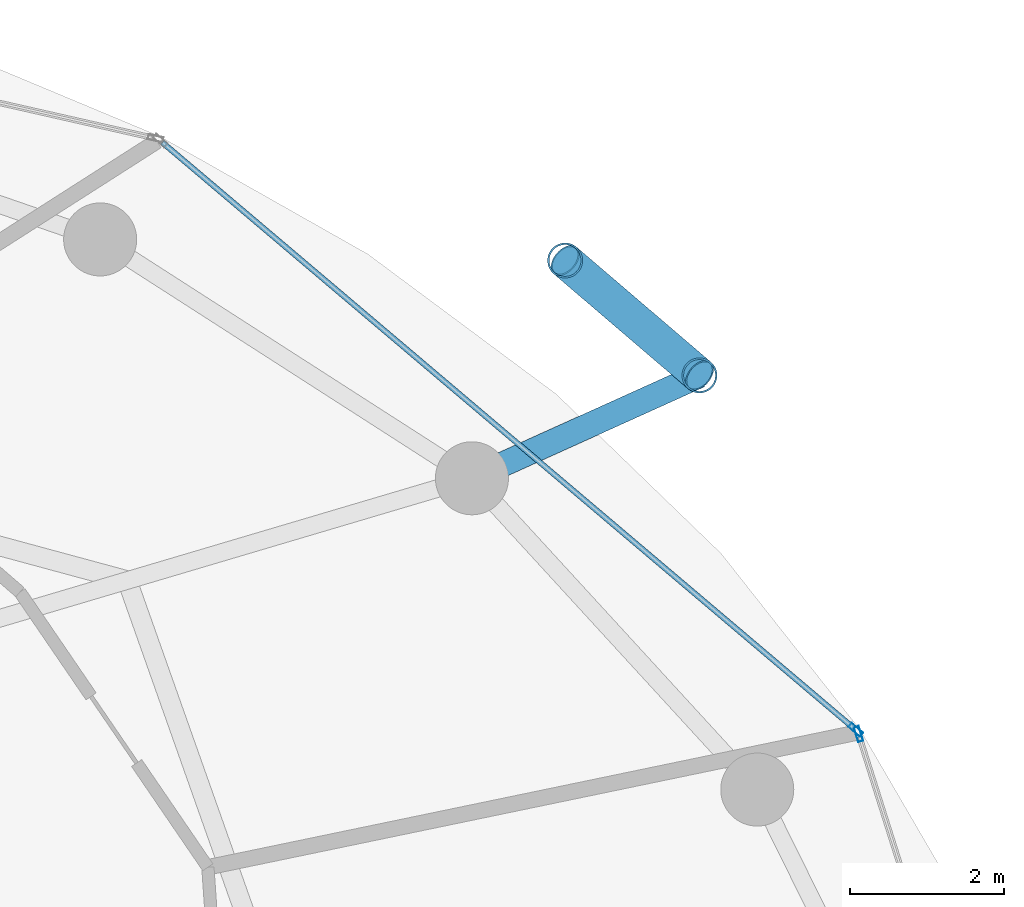
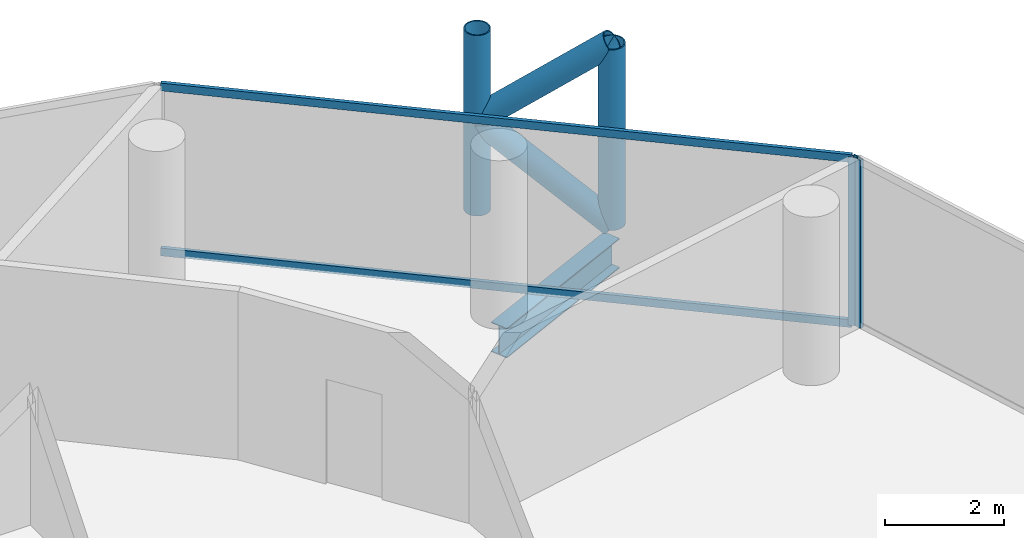
# One storey, part 19 of 26: 8 members, 1 beam, 2 elements without a shape of their own.
"""IFC4 building model written with IfcOpenShell, lengths in metres."""

from ifc_helpers import new_model, si_unit, direction, frame, origin, origin_2d, place, context, subcontext, project, spatial, hollow_rectangle, hollow_circle, i_section, extrude, material, layer, layer_set, material_profile, profile_set, type_object, element, aggregate, save


model = new_model("IFC4")

# Units and contexts
model_context = context("Model", 3, precision=1e-05, world=origin(), true_north=direction((0.0, 1.0)))
body_context = subcontext(model_context, "Body", "Model", "MODEL_VIEW")
ifc_project = project(units=[si_unit("LENGTHUNIT", "METRE"), si_unit("AREAUNIT", "SQUARE_METRE"), si_unit("VOLUMEUNIT", "CUBIC_METRE"), si_unit("PLANEANGLEUNIT", "RADIAN"), si_unit("MASSUNIT", "GRAM", prefix="KILO")], contexts=[model_context])

# Site, building, storey
site_placement = place(None, origin())
site = spatial("IfcSite", under=ifc_project, at=site_placement, CompositionType="ELEMENT")
building_placement = place(site_placement, origin())
building = spatial("IfcBuilding", under=site, at=building_placement, Name="Nuhasar Tower", CompositionType="ELEMENT")
storey_placement = place(building_placement, frame((0.0, 0.0, 144.14990234375)))
storey = spatial("IfcBuildingStorey", under=building, at=storey_placement, Name="L34", CompositionType="ELEMENT", Elevation=144.14990234375)

# Beam
ifc_material_1 = material(Name="Steel S355", Category="steel")
ifc_material_profile_1 = material_profile(ifc_material_1, i_section(OverallWidth=0.323974609375, OverallDepth=0.611083984375, WebThickness=0.0126953125, FlangeThickness=0.01904296875, at=origin_2d()), Name="W24X104")
ifc_profile_set_1 = profile_set([ifc_material_profile_1], Name="Steel S355")
beam_type = type_object("IfcBeamType", Name="BM-TIE-W24X104", PredefinedType="BEAM", material=ifc_profile_set_1)
beam_placement = place(storey_placement, frame((55.510986328125, 40.6240234375, -0.554931640625), z_axis=(0.911239591969, 0.411876687891, 0.0), x_axis=(-0.411876687891, 0.911239591969, 0.0)))
element("IfcBeam", 1, at=beam_placement, inside=storey, type_object=beam_type, Name="L34 Exoskeleton Node Tie Beam 02", PredefinedType="BEAM", context=body_context, shape_type="SweptSolid", body=[
    extrude(i_section(OverallWidth=0.323974609375, OverallDepth=0.611083984375, WebThickness=0.0126953125, FlangeThickness=0.01904296875, at=origin_2d()), origin(), (0.0, 0.0, 1.0), 3.248291015625),
])

# Curtain wall, member
ifc_material_2 = material(Name="Aluminium 6063-T6", Category="aluminium")
ifc_layer = layer(ifc_material_2, 0.199951171875)
ifc_layer_set = layer_set([ifc_layer], Name="Aluminium 6063-T6")
curtain_wall_type = type_object("IfcCurtainWallType", Name="CW-Z2-HTL", PredefinedType="NOTDEFINED", material=ifc_layer_set)
curtain_wall_1_placement = place(storey_placement, origin())
curtain_wall_1 = element("IfcCurtainWall", 2, at=curtain_wall_1_placement, inside=storey, type_object=curtain_wall_type, Name="L34 Unitised Curtain Wall 01", PredefinedType="NOTDEFINED")
ifc_material_profile_2 = material_profile(ifc_material_2, hollow_rectangle(XDim=0.070068359375, YDim=0.199951171875, WallThickness=0.0048828125, at=origin_2d()), Name="CWM-3")
ifc_profile_set_2 = profile_set([ifc_material_profile_2], Name="Aluminium 6063-T6")
member_type_1 = type_object("IfcMemberType", Name="CW-MUL-S3", PredefinedType="MULLION", material=ifc_profile_set_2)
member_1_placement = place(storey_placement, frame((60.53955078125, 37.296630859375, 0.0), z_axis=(0.0, 0.0, 1.0), x_axis=(-0.953433389233, -0.301603667577, 0.0)))
member_1 = element("IfcMember", 3, at=member_1_placement, type_object=member_type_1, Name="CW-Z2 mullion 2", PredefinedType="MULLION", context=body_context, shape_type="SweptSolid", body=[
    extrude(hollow_rectangle(XDim=0.070068359375, YDim=0.199951171875, WallThickness=0.0048828125, at=origin_2d()), origin(), (0.0, 0.0, 1.0), 3.4501953125),
])
aggregate(curtain_wall_1, [member_1])

# Curtain wall, members
curtain_wall_2_placement = place(storey_placement, origin())
curtain_wall_2 = element("IfcCurtainWall", 4, at=curtain_wall_2_placement, inside=storey, type_object=curtain_wall_type, Name="L34 Unitised Curtain Wall 02", PredefinedType="NOTDEFINED")
member_2_placement = place(storey_placement, frame((60.502197265625, 37.3525390625, 0.0), z_axis=(0.0, 0.0, 1.0), x_axis=(-0.646374438324, -0.763020370292, 0.0)))
member_2 = element("IfcMember", 5, at=member_2_placement, type_object=member_type_1, Name="CW-Z2 mullion 1", PredefinedType="MULLION", context=body_context, shape_type="SweptSolid", body=[
    extrude(hollow_rectangle(XDim=0.070068359375, YDim=0.199951171875, WallThickness=0.0048828125, at=origin_2d()), origin(), (0.0, 0.0, 1.0), 3.4501953125),
])
ifc_material_profile_3 = material_profile(ifc_material_2, hollow_rectangle(XDim=0.070068359375, YDim=0.159912109375, WallThickness=0.00439453125, at=origin_2d()), Name="CWT-3")
ifc_profile_set_3 = profile_set([ifc_material_profile_3], Name="Aluminium 6063-T6")
member_type_2 = type_object("IfcMemberType", Name="CW-TRN-S3", PredefinedType="USERDEFINED", material=ifc_profile_set_3)
member_3_placement = place(storey_placement, frame((60.4755859375, 37.375244140625, 0.03515625), z_axis=(-0.763023915269, 0.646370253592, 0.0), x_axis=(-0.646370253592, -0.763023915269, 0.0)))
member_3 = element("IfcMember", 6, at=member_3_placement, type_object=member_type_2, Name="CW-Z2 transom 1.1", ObjectType="TRANSOM", PredefinedType="USERDEFINED", context=body_context, shape_type="SweptSolid", body=[
    extrude(hollow_rectangle(XDim=0.070068359375, YDim=0.159912109375, WallThickness=0.00439453125, at=origin_2d()), origin(), (0.0, 0.0, 1.0), 11.784912109375),
])
member_4_placement = place(storey_placement, frame((60.4755859375, 37.375244140625, 3.4150390625), z_axis=(-0.763023915269, 0.646370253592, 0.0), x_axis=(-0.646370253592, -0.763023915269, 0.0)))
member_4 = element("IfcMember", 7, at=member_4_placement, type_object=member_type_2, Name="CW-Z2 transom 1.2", ObjectType="TRANSOM", PredefinedType="USERDEFINED", context=body_context, shape_type="SweptSolid", body=[
    extrude(hollow_rectangle(XDim=0.070068359375, YDim=0.159912109375, WallThickness=0.00439453125, at=origin_2d()), origin(), (0.0, 0.0, 1.0), 11.784912109375),
])
aggregate(curtain_wall_2, [member_2, member_3, member_4])

# Members
ifc_material_3 = material(Name="Steel S460", Category="steel")
ifc_material_profile_4 = material_profile(ifc_material_3, hollow_circle(Radius=0.228515625, WallThickness=0.022216796875, at=origin_2d()), Name="HSS457X22.2")
ifc_profile_set_4 = profile_set([ifc_material_profile_4], Name="Steel S460")
member_type_3 = type_object("IfcMemberType", Name="EXO-BRONZE-457", PredefinedType="BRACE", material=ifc_profile_set_4)
for number, where, z_axis, x_axis, name in (
    (8, (58.470947265625, 41.9619140625, 0.0), (0.0, 0.0, 1.0), (1.0, 0.0, 0.0), "L34 Exoskeleton Chord Column EC-02A"),
    (9, (56.722900390625, 43.45703125, 0.0), (0.0, 0.0, 1.0), (1.0, 0.0, 0.0), "L34 Exoskeleton Chord Column EC-02B"),
):
    element("IfcMember", number, at=place(storey_placement, frame(where, z_axis=z_axis, x_axis=x_axis)), inside=storey, type_object=member_type_3, Name=name, PredefinedType="BRACE", context=body_context, shape_type="SweptSolid", body=[
        extrude(hollow_circle(Radius=0.228515625, WallThickness=0.022216796875, at=origin_2d()), origin(), (0.0, 0.0, 1.0), 3.7001953125),
    ])
for number, where, z_axis, x_axis, name in (
    (10, (58.470947265625, 41.9619140625, 0.0), (-0.592170370358, 0.506487618445, 0.626741210415), (-0.649986859795, -0.759945446788, 0.0), "L34 Bronze Diagrid Brace W1-02"),
    (11, (56.722900390625, 43.45703125, 1.85009765625), (0.592170370358, -0.506487618445, 0.626741210415), (0.649986859795, 0.759945446788, 0.0), "L34 Bronze Diagrid Brace W2-02"),
):
    element("IfcMember", number, at=place(storey_placement, frame(where, z_axis=z_axis, x_axis=x_axis)), inside=storey, type_object=member_type_3, Name=name, PredefinedType="BRACE", context=body_context, shape_type="SweptSolid", body=[
        extrude(hollow_circle(Radius=0.228515625, WallThickness=0.022216796875, at=origin_2d()), origin(), (0.0, 0.0, 1.0), 2.951904296875),
    ])

save(model, "model.ifc")
